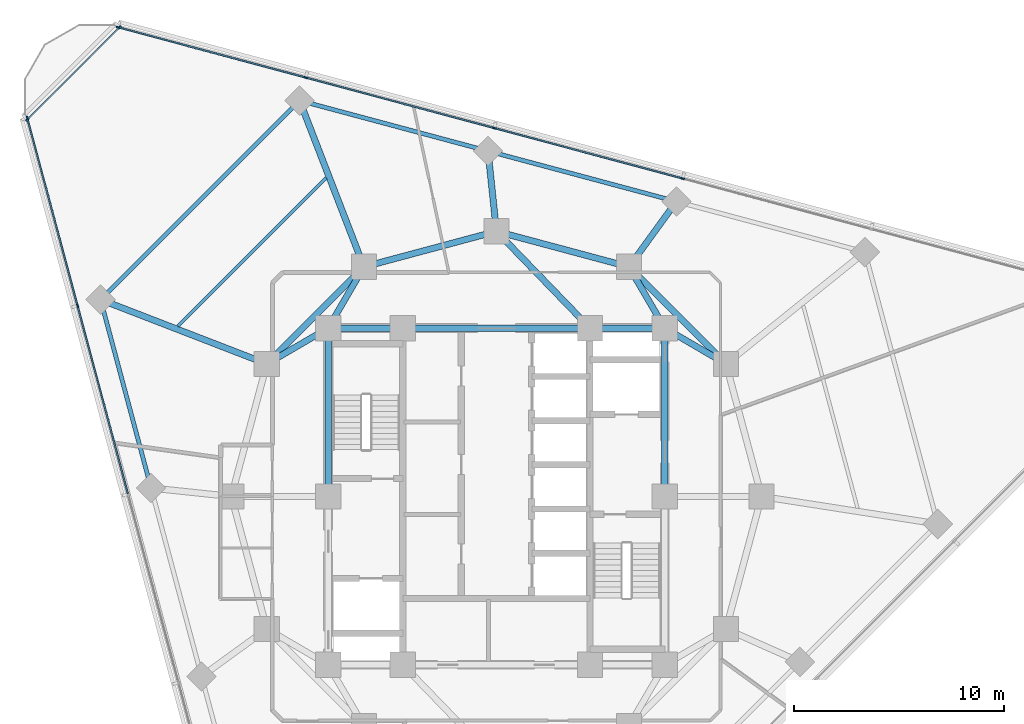
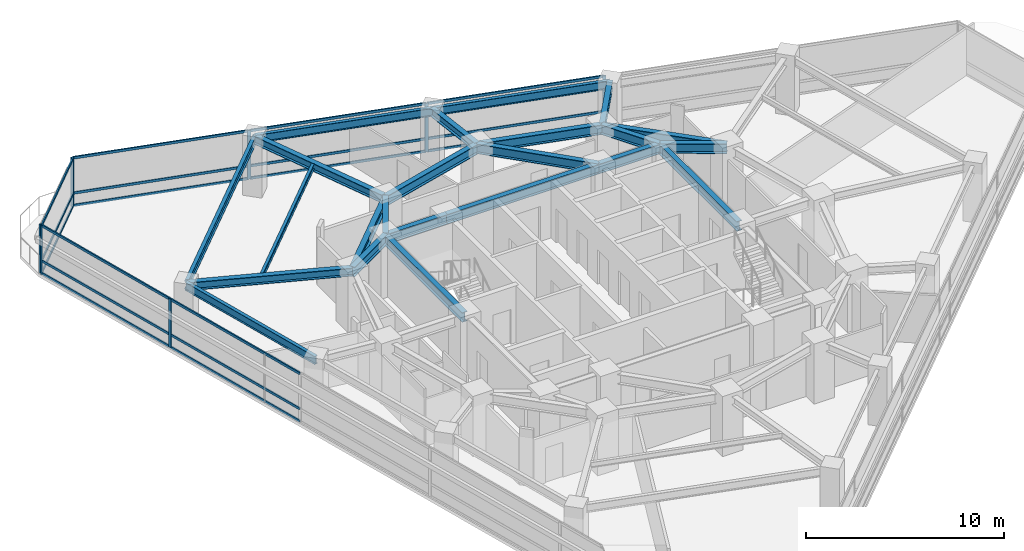
# One storey, part 4 of 13: 26 members, 23 beams, 3 elements without a shape of their own.
"""IFC4 building model written with IfcOpenShell, lengths in metres."""

from ifc_helpers import new_model, si_unit, direction, frame, origin, origin_2d, place, context, subcontext, project, spatial, rectangle, i_section, extrude, material, layer, layer_set, material_profile, profile_set, type_object, element, aggregate, save


model = new_model("IFC4")

# Units and contexts
model_context = context("Model", 3, precision=1e-05, world=origin(), true_north=direction((0.0, 1.0)))
body_context = subcontext(model_context, "Body", "Model", "MODEL_VIEW")
ifc_project = project(units=[si_unit("LENGTHUNIT", "METRE"), si_unit("AREAUNIT", "SQUARE_METRE"), si_unit("VOLUMEUNIT", "CUBIC_METRE"), si_unit("PLANEANGLEUNIT", "RADIAN"), si_unit("MASSUNIT", "GRAM", prefix="KILO")], contexts=[model_context])

# Site, building, storey
site_placement = place(None, origin())
site = spatial("IfcSite", under=ifc_project, at=site_placement, CompositionType="ELEMENT")
building_placement = place(site_placement, origin())
building = spatial("IfcBuilding", under=site, at=building_placement, Name="Terralouvre Media Tower", CompositionType="ELEMENT")
storey_placement = place(building_placement, frame((0.0, 0.0, 195.300048828125)))
storey = spatial("IfcBuildingStorey", under=building, at=storey_placement, Name="L50", CompositionType="ELEMENT", Elevation=195.300048828125)

# Beam
ifc_material_1 = material(Name="Structural steel S355J2", Category="steel")
ifc_material_profile_1 = material_profile(ifc_material_1, i_section(OverallWidth=0.159912109375, OverallDepth=0.330078125, WebThickness=0.007568359375, FlangeThickness=0.011474609375, at=origin_2d()), Name="IPE 330")
ifc_profile_set_1 = profile_set([ifc_material_profile_1], Name="Structural steel S355J2")
beam_type_1 = type_object("IfcBeamType", Name="Composite Floor Joist J-IPE330 (IPE 330)", PredefinedType="JOIST", material=ifc_profile_set_1)
beam_1_placement = place(storey_placement, frame((-8.095947265625, 15.14453125, 3.3349609375), z_axis=(-0.707106781187, -0.707106781187, 0.0), x_axis=(0.707106781187, -0.707106781187, 0.0)))
element("IfcBeam", 1, at=beam_1_placement, inside=storey, type_object=beam_type_1, Name="L50 Framing Beam JT-L50-05", PredefinedType="JOIST", context=body_context, shape_type="SweptSolid", body=[
    extrude(i_section(OverallWidth=0.159912109375, OverallDepth=0.330078125, WebThickness=0.007568359375, FlangeThickness=0.011474609375, at=origin_2d()), origin(), (0.0, 0.0, 1.0), 9.96826171875),
])

# Curtain wall, members
ifc_material_2 = material(Name="Low-iron laminated double glazing with solar-control coating", Category="glass")
ifc_layer_1 = layer(ifc_material_2, 0.1650390625, Name="Production Studio Tower Curtain Wall CW-03")
ifc_layer_set_1 = layer_set([ifc_layer_1], Name="Low-iron laminated double glazing with solar-control coating")
curtain_wall_type_1 = type_object("IfcCurtainWallType", Name="Production Studio Tower Curtain Wall CW-03", PredefinedType="NOTDEFINED", material=ifc_layer_set_1)
curtain_wall_1_placement = place(storey_placement, origin())
curtain_wall_1 = element("IfcCurtainWall", 2, at=curtain_wall_1_placement, inside=storey, type_object=curtain_wall_type_1, Name="L50 Facade Curtain Wall F1", PredefinedType="NOTDEFINED")
ifc_material_3 = material(Name="Anodised extruded aluminium 6063-T6", Category="aluminium")
ifc_material_profile_2 = material_profile(ifc_material_3, rectangle(XDim=0.074951171875, YDim=0.14990234375, at=origin_2d()), Name="ALU 75x150")
ifc_profile_set_2 = profile_set([ifc_material_profile_2], Name="Anodised extruded aluminium 6063-T6")
member_type_1 = type_object("IfcMemberType", Name="Curtain-Wall Horizontal Transom TR-150", PredefinedType="USERDEFINED", material=ifc_profile_set_2)
member_1_placement = place(storey_placement, frame((8.8115234375, 15.117431640625, 0.037353515625), z_axis=(-0.965926723605, 0.25881569625, 0.0), x_axis=(-0.25881569625, -0.965926723605, 0.0)))
member_1 = element("IfcMember", 3, at=member_1_placement, type_object=member_type_1, Name="CW-03 transom 3.1", ObjectType="TRANSOM", PredefinedType="USERDEFINED", context=body_context, shape_type="SweptSolid", body=[
    extrude(rectangle(XDim=0.074951171875, YDim=0.14990234375, at=origin_2d()), origin(), (0.0, 0.0, 1.0), 9.197265625),
])
member_2_placement = place(storey_placement, frame((8.8115234375, 15.117431640625, 0.800048828125), z_axis=(-0.965926723605, 0.25881569625, 0.0), x_axis=(-0.25881569625, -0.965926723605, 0.0)))
member_2 = element("IfcMember", 4, at=member_2_placement, type_object=member_type_1, Name="CW-03 transom 3.2", ObjectType="TRANSOM", PredefinedType="USERDEFINED", context=body_context, shape_type="SweptSolid", body=[
    extrude(rectangle(XDim=0.074951171875, YDim=0.14990234375, at=origin_2d()), origin(), (0.0, 0.0, 1.0), 9.197265625),
])
member_3_placement = place(storey_placement, frame((8.8115234375, 15.117431640625, 2.96240234375), z_axis=(-0.965926723605, 0.25881569625, 0.0), x_axis=(-0.25881569625, -0.965926723605, 0.0)))
member_3 = element("IfcMember", 5, at=member_3_placement, type_object=member_type_1, Name="CW-03 transom 3.3", ObjectType="TRANSOM", PredefinedType="USERDEFINED", context=body_context, shape_type="SweptSolid", body=[
    extrude(rectangle(XDim=0.074951171875, YDim=0.14990234375, at=origin_2d()), origin(), (0.0, 0.0, 1.0), 9.197265625),
])
member_4_placement = place(storey_placement, frame((-0.14453125, 17.517333984375, 0.037353515625), z_axis=(-0.965926723605, 0.25881569625, 0.0), x_axis=(-0.25881569625, -0.965926723605, 0.0)))
member_4 = element("IfcMember", 6, at=member_4_placement, type_object=member_type_1, Name="CW-03 transom 4.1", ObjectType="TRANSOM", PredefinedType="USERDEFINED", context=body_context, shape_type="SweptSolid", body=[
    extrude(rectangle(XDim=0.074951171875, YDim=0.14990234375, at=origin_2d()), origin(), (0.0, 0.0, 1.0), 9.197265625),
])
member_5_placement = place(storey_placement, frame((-0.14453125, 17.517333984375, 0.800048828125), z_axis=(-0.965926723605, 0.25881569625, 0.0), x_axis=(-0.25881569625, -0.965926723605, 0.0)))
member_5 = element("IfcMember", 7, at=member_5_placement, type_object=member_type_1, Name="CW-03 transom 4.2", ObjectType="TRANSOM", PredefinedType="USERDEFINED", context=body_context, shape_type="SweptSolid", body=[
    extrude(rectangle(XDim=0.074951171875, YDim=0.14990234375, at=origin_2d()), origin(), (0.0, 0.0, 1.0), 9.197265625),
])
member_6_placement = place(storey_placement, frame((-0.14453125, 17.517333984375, 2.96240234375), z_axis=(-0.965926723605, 0.25881569625, 0.0), x_axis=(-0.25881569625, -0.965926723605, 0.0)))
member_6 = element("IfcMember", 8, at=member_6_placement, type_object=member_type_1, Name="CW-03 transom 4.3", ObjectType="TRANSOM", PredefinedType="USERDEFINED", context=body_context, shape_type="SweptSolid", body=[
    extrude(rectangle(XDim=0.074951171875, YDim=0.14990234375, at=origin_2d()), origin(), (0.0, 0.0, 1.0), 9.197265625),
])
member_7_placement = place(storey_placement, frame((-9.1005859375, 19.9169921875, 0.037353515625), z_axis=(-0.965927230856, 0.25881380313, 0.0), x_axis=(-0.25881380313, -0.965927230856, 0.0)))
member_7 = element("IfcMember", 9, at=member_7_placement, type_object=member_type_1, Name="CW-03 transom 5.1", ObjectType="TRANSOM", PredefinedType="USERDEFINED", context=body_context, shape_type="SweptSolid", body=[
    extrude(rectangle(XDim=0.074951171875, YDim=0.14990234375, at=origin_2d()), origin(), (0.0, 0.0, 1.0), 9.159423828125),
])
member_8_placement = place(storey_placement, frame((-9.1005859375, 19.9169921875, 0.800048828125), z_axis=(-0.965927230856, 0.25881380313, 0.0), x_axis=(-0.25881380313, -0.965927230856, 0.0)))
member_8 = element("IfcMember", 10, at=member_8_placement, type_object=member_type_1, Name="CW-03 transom 5.2", ObjectType="TRANSOM", PredefinedType="USERDEFINED", context=body_context, shape_type="SweptSolid", body=[
    extrude(rectangle(XDim=0.074951171875, YDim=0.14990234375, at=origin_2d()), origin(), (0.0, 0.0, 1.0), 9.159423828125),
])
member_9_placement = place(storey_placement, frame((-9.1005859375, 19.9169921875, 2.96240234375), z_axis=(-0.965927230856, 0.25881380313, 0.0), x_axis=(-0.25881380313, -0.965927230856, 0.0)))
member_9 = element("IfcMember", 11, at=member_9_placement, type_object=member_type_1, Name="CW-03 transom 5.3", ObjectType="TRANSOM", PredefinedType="USERDEFINED", context=body_context, shape_type="SweptSolid", body=[
    extrude(rectangle(XDim=0.074951171875, YDim=0.14990234375, at=origin_2d()), origin(), (0.0, 0.0, 1.0), 9.159423828125),
])

curtain_wall_2_placement = place(storey_placement, origin())
curtain_wall_2 = element("IfcCurtainWall", 12, at=curtain_wall_2_placement, inside=storey, type_object=curtain_wall_type_1, Name="L50 Facade Curtain Wall F2", PredefinedType="NOTDEFINED")
member_10_placement = place(storey_placement, frame((-22.28759765625, 17.947998046875, 0.037353515625), z_axis=(0.25881380313, -0.965927230856, 0.0), x_axis=(0.965927230856, 0.25881380313, 0.0)))
member_10 = element("IfcMember", 13, at=member_10_placement, type_object=member_type_1, Name="CW-03 transom 1.1", ObjectType="TRANSOM", PredefinedType="USERDEFINED", context=body_context, shape_type="SweptSolid", body=[
    extrude(rectangle(XDim=0.074951171875, YDim=0.14990234375, at=origin_2d()), origin(), (0.0, 0.0, 1.0), 9.159423828125),
])
member_11_placement = place(storey_placement, frame((-22.28759765625, 17.947998046875, 0.800048828125), z_axis=(0.25881380313, -0.965927230856, 0.0), x_axis=(0.965927230856, 0.25881380313, 0.0)))
member_11 = element("IfcMember", 14, at=member_11_placement, type_object=member_type_1, Name="CW-03 transom 1.2", ObjectType="TRANSOM", PredefinedType="USERDEFINED", context=body_context, shape_type="SweptSolid", body=[
    extrude(rectangle(XDim=0.074951171875, YDim=0.14990234375, at=origin_2d()), origin(), (0.0, 0.0, 1.0), 9.159423828125),
])
member_12_placement = place(storey_placement, frame((-22.28759765625, 17.947998046875, 2.96240234375), z_axis=(0.25881380313, -0.965927230856, 0.0), x_axis=(0.965927230856, 0.25881380313, 0.0)))
member_12 = element("IfcMember", 15, at=member_12_placement, type_object=member_type_1, Name="CW-03 transom 1.3", ObjectType="TRANSOM", PredefinedType="USERDEFINED", context=body_context, shape_type="SweptSolid", body=[
    extrude(rectangle(XDim=0.074951171875, YDim=0.14990234375, at=origin_2d()), origin(), (0.0, 0.0, 1.0), 9.159423828125),
])
member_13_placement = place(storey_placement, frame((-19.897705078125, 9.0283203125, 0.037353515625), z_axis=(0.25881569625, -0.965926723605, 0.0), x_axis=(0.965926723605, 0.25881569625, 0.0)))
member_13 = element("IfcMember", 16, at=member_13_placement, type_object=member_type_1, Name="CW-03 transom 2.1", ObjectType="TRANSOM", PredefinedType="USERDEFINED", context=body_context, shape_type="SweptSolid", body=[
    extrude(rectangle(XDim=0.074951171875, YDim=0.14990234375, at=origin_2d()), origin(), (0.0, 0.0, 1.0), 9.197265625),
])
member_14_placement = place(storey_placement, frame((-19.897705078125, 9.0283203125, 0.800048828125), z_axis=(0.25881569625, -0.965926723605, 0.0), x_axis=(0.965926723605, 0.25881569625, 0.0)))
member_14 = element("IfcMember", 17, at=member_14_placement, type_object=member_type_1, Name="CW-03 transom 2.2", ObjectType="TRANSOM", PredefinedType="USERDEFINED", context=body_context, shape_type="SweptSolid", body=[
    extrude(rectangle(XDim=0.074951171875, YDim=0.14990234375, at=origin_2d()), origin(), (0.0, 0.0, 1.0), 9.197265625),
])
member_15_placement = place(storey_placement, frame((-19.897705078125, 9.0283203125, 2.96240234375), z_axis=(0.25881569625, -0.965926723605, 0.0), x_axis=(0.965926723605, 0.25881569625, 0.0)))
member_15 = element("IfcMember", 18, at=member_15_placement, type_object=member_type_1, Name="CW-03 transom 2.3", ObjectType="TRANSOM", PredefinedType="USERDEFINED", context=body_context, shape_type="SweptSolid", body=[
    extrude(rectangle(XDim=0.074951171875, YDim=0.14990234375, at=origin_2d()), origin(), (0.0, 0.0, 1.0), 9.197265625),
])

ifc_material_4 = material(Name="Low-iron laminated double glazing with solar-control coating", Category="glass")
ifc_layer_2 = layer(ifc_material_4, 0.1650390625, Name="Rounded Wind-Corner Curved Glazing CW-04")
ifc_layer_set_2 = layer_set([ifc_layer_2], Name="Low-iron laminated double glazing with solar-control coating")
curtain_wall_type_2 = type_object("IfcCurtainWallType", Name="Rounded Wind-Corner Curved Glazing CW-04", PredefinedType="NOTDEFINED", material=ifc_layer_set_2)
curtain_wall_3_placement = place(storey_placement, origin())
curtain_wall_3 = element("IfcCurtainWall", 19, at=curtain_wall_3_placement, inside=storey, type_object=curtain_wall_type_2, Name="L50 Rounded Wind-Corner Curtain Wall C2", PredefinedType="NOTDEFINED")
member_16_placement = place(storey_placement, frame((-17.943603515625, 22.27099609375, 0.037353515625), z_axis=(-0.707106781187, -0.707106781187, 0.0), x_axis=(0.707106781187, -0.707106781187, 0.0)))
member_16 = element("IfcMember", 20, at=member_16_placement, type_object=member_type_1, Name="CW-04 transom 1.1", ObjectType="TRANSOM", PredefinedType="USERDEFINED", context=body_context, shape_type="SweptSolid", body=[
    extrude(rectangle(XDim=0.074951171875, YDim=0.14990234375, at=origin_2d()), origin(), (0.0, 0.0, 1.0), 6.119873046875),
])
member_17_placement = place(storey_placement, frame((-17.943603515625, 22.27099609375, 0.800048828125), z_axis=(-0.707106781187, -0.707106781187, 0.0), x_axis=(0.707106781187, -0.707106781187, 0.0)))
member_17 = element("IfcMember", 21, at=member_17_placement, type_object=member_type_1, Name="CW-04 transom 1.2", ObjectType="TRANSOM", PredefinedType="USERDEFINED", context=body_context, shape_type="SweptSolid", body=[
    extrude(rectangle(XDim=0.074951171875, YDim=0.14990234375, at=origin_2d()), origin(), (0.0, 0.0, 1.0), 6.119873046875),
])
member_18_placement = place(storey_placement, frame((-17.943603515625, 22.27099609375, 2.96240234375), z_axis=(-0.707106781187, -0.707106781187, 0.0), x_axis=(0.707106781187, -0.707106781187, 0.0)))
member_18 = element("IfcMember", 22, at=member_18_placement, type_object=member_type_1, Name="CW-04 transom 1.3", ObjectType="TRANSOM", PredefinedType="USERDEFINED", context=body_context, shape_type="SweptSolid", body=[
    extrude(rectangle(XDim=0.074951171875, YDim=0.14990234375, at=origin_2d()), origin(), (0.0, 0.0, 1.0), 6.119873046875),
])

# Member
ifc_material_5 = material(Name="Anodised extruded aluminium 6063-T6", Category="aluminium")
ifc_material_profile_3 = material_profile(ifc_material_5, rectangle(XDim=0.074951171875, YDim=0.179931640625, at=origin_2d()), Name="ALU 75x180")
ifc_profile_set_3 = profile_set([ifc_material_profile_3], Name="Anodised extruded aluminium 6063-T6")
member_type_2 = type_object("IfcMemberType", Name="Curtain-Wall Vertical Mullion ML-180", PredefinedType="MULLION", material=ifc_profile_set_3)
member_19_placement = place(storey_placement, frame((8.84765625, 15.10791015625, 0.0), z_axis=(0.0, 0.0, 1.0), x_axis=(-0.25881903342, -0.96592582942, 0.0)))
member_19 = element("IfcMember", 23, at=member_19_placement, type_object=member_type_2, Name="CW-03 mullion 3", PredefinedType="MULLION", context=body_context, shape_type="SweptSolid", body=[
    extrude(rectangle(XDim=0.074951171875, YDim=0.179931640625, at=origin_2d()), origin(), (0.0, 0.0, 1.0), 3.0),
])

member_20_placement = place(storey_placement, frame((-0.1083984375, 17.507568359375, 0.0), z_axis=(0.0, 0.0, 1.0), x_axis=(-0.25881903342, -0.96592582942, 0.0)))
member_20 = element("IfcMember", 24, at=member_20_placement, type_object=member_type_2, Name="CW-03 mullion 4", PredefinedType="MULLION", context=body_context, shape_type="SweptSolid", body=[
    extrude(rectangle(XDim=0.074951171875, YDim=0.179931640625, at=origin_2d()), origin(), (0.0, 0.0, 1.0), 3.0),
])

member_21_placement = place(storey_placement, frame((-9.064453125, 19.907470703125, 0.0), z_axis=(0.0, 0.0, 1.0), x_axis=(-0.25881903342, -0.96592582942, 0.0)))
member_21 = element("IfcMember", 25, at=member_21_placement, type_object=member_type_2, Name="CW-03 mullion 5", PredefinedType="MULLION", context=body_context, shape_type="SweptSolid", body=[
    extrude(rectangle(XDim=0.074951171875, YDim=0.179931640625, at=origin_2d()), origin(), (0.0, 0.0, 1.0), 3.0),
])

member_22_placement = place(storey_placement, frame((-17.984375, 22.29736328125, 0.0), z_axis=(0.0, 0.0, 1.0), x_axis=(-0.25881903342, -0.96592582942, 0.0)))
member_22 = element("IfcMember", 26, at=member_22_placement, type_object=member_type_2, Name="CW-03 mullion 6", PredefinedType="MULLION", context=body_context, shape_type="SweptSolid", body=[
    extrude(rectangle(XDim=0.074951171875, YDim=0.179931640625, at=origin_2d()), origin(), (0.0, 0.0, 1.0), 3.0),
])

aggregate(curtain_wall_1, [member_19, member_20, member_21, member_22, member_1, member_2, member_3, member_4, member_5, member_6, member_7, member_8, member_9])

member_23_placement = place(storey_placement, frame((-22.29736328125, 17.984375, 0.0), z_axis=(0.0, 0.0, 1.0), x_axis=(0.96592582942, 0.25881903342, 0.0)))
member_23 = element("IfcMember", 27, at=member_23_placement, type_object=member_type_2, Name="CW-03 mullion 1", PredefinedType="MULLION", context=body_context, shape_type="SweptSolid", body=[
    extrude(rectangle(XDim=0.074951171875, YDim=0.179931640625, at=origin_2d()), origin(), (0.0, 0.0, 1.0), 3.0),
])

member_24_placement = place(storey_placement, frame((-19.907470703125, 9.064453125, 0.0), z_axis=(0.0, 0.0, 1.0), x_axis=(0.96592582942, 0.25881903342, 0.0)))
member_24 = element("IfcMember", 28, at=member_24_placement, type_object=member_type_2, Name="CW-03 mullion 2", PredefinedType="MULLION", context=body_context, shape_type="SweptSolid", body=[
    extrude(rectangle(XDim=0.074951171875, YDim=0.179931640625, at=origin_2d()), origin(), (0.0, 0.0, 1.0), 3.0),
])

aggregate(curtain_wall_2, [member_23, member_24, member_10, member_11, member_12, member_13, member_14, member_15])

member_25_placement = place(storey_placement, frame((-17.9169921875, 22.297607421875, 0.0), z_axis=(0.0, 0.0, 1.0), x_axis=(0.707106781187, -0.707106781187, 0.0)))
member_25 = element("IfcMember", 29, at=member_25_placement, type_object=member_type_2, Name="CW-04 mullion 1", PredefinedType="MULLION", context=body_context, shape_type="SweptSolid", body=[
    extrude(rectangle(XDim=0.074951171875, YDim=0.179931640625, at=origin_2d()), origin(), (0.0, 0.0, 1.0), 3.0),
])

member_26_placement = place(storey_placement, frame((-22.297607421875, 17.9169921875, 0.0), z_axis=(0.0, 0.0, 1.0), x_axis=(0.707106781187, -0.707106781187, 0.0)))
member_26 = element("IfcMember", 30, at=member_26_placement, type_object=member_type_2, Name="CW-04 mullion 2", PredefinedType="MULLION", context=body_context, shape_type="SweptSolid", body=[
    extrude(rectangle(XDim=0.074951171875, YDim=0.179931640625, at=origin_2d()), origin(), (0.0, 0.0, 1.0), 3.0),
])

aggregate(curtain_wall_3, [member_25, member_26, member_16, member_17, member_18])

# Beams
ifc_material_6 = material(Name="Structural steel S355J2", Category="steel")
ifc_material_profile_4 = material_profile(ifc_material_6, i_section(OverallWidth=0.199951171875, OverallDepth=0.5, WebThickness=0.01025390625, FlangeThickness=0.01611328125, at=origin_2d()), Name="IPE 500")
ifc_profile_set_4 = profile_set([ifc_material_profile_4], Name="Structural steel S355J2")
beam_type_2 = type_object("IfcBeamType", Name="Perimeter Spandrel Beam SPB-500 (IPE 500)", PredefinedType="SPANDREL", material=ifc_profile_set_4)
for number, where, z_axis, x_axis, name in (
    (31, (8.55517578125, 14.016357421875, 3.25), (-0.965928776458, 0.258808034669, 0.0), (-0.258808034669, -0.965928776458, 0.0), "L50 Framing Beam BM-L50-PR08"),
    (32, (-0.40087890625, 16.416015625, 3.25), (-0.965922193685, 0.258832601786, 0.0), (-0.258832601786, -0.965922193685, 0.0), "L50 Framing Beam BM-L50-PR09"),
):
    element("IfcBeam", number, at=place(storey_placement, frame(where, z_axis=z_axis, x_axis=x_axis)), inside=storey, type_object=beam_type_2, Name=name, PredefinedType="SPANDREL", context=body_context, shape_type="SweptSolid", body=[
        extrude(i_section(OverallWidth=0.199951171875, OverallDepth=0.5, WebThickness=0.01025390625, FlangeThickness=0.01611328125, at=origin_2d()), origin(), (0.0, 0.0, 1.0), 9.27197265625),
    ])
beam_2_placement = place(storey_placement, frame((-9.35693359375, 18.81591796875, 3.25), z_axis=(-0.707106781187, -0.707106781187, 0.0), x_axis=(0.707106781187, -0.707106781187, 0.0)))
element("IfcBeam", 33, at=beam_2_placement, inside=storey, type_object=beam_type_2, Name="L50 Framing Beam BM-L50-PR10", PredefinedType="SPANDREL", context=body_context, shape_type="SweptSolid", body=[
    extrude(i_section(OverallWidth=0.199951171875, OverallDepth=0.5, WebThickness=0.01025390625, FlangeThickness=0.01611328125, at=origin_2d()), origin(), (0.0, 0.0, 1.0), 13.376953125),
])
beam_3_placement = place(storey_placement, frame((-18.81591796875, 9.35693359375, 3.25), z_axis=(0.258832601786, -0.965922193685, 0.0), x_axis=(0.965922193685, 0.258832601786, 0.0)))
element("IfcBeam", 34, at=beam_3_placement, inside=storey, type_object=beam_type_2, Name="L50 Framing Beam BM-L50-PR11", PredefinedType="SPANDREL", context=body_context, shape_type="SweptSolid", body=[
    extrude(i_section(OverallWidth=0.199951171875, OverallDepth=0.5, WebThickness=0.01025390625, FlangeThickness=0.01611328125, at=origin_2d()), origin(), (0.0, 0.0, 1.0), 9.27197265625),
])
ifc_material_7 = material(Name="Structural steel S355J2", Category="steel")
ifc_material_profile_5 = material_profile(ifc_material_7, i_section(OverallWidth=0.300048828125, OverallDepth=0.5, WebThickness=0.014404296875, FlangeThickness=0.028076171875, at=origin_2d()), Name="HEB 500")
ifc_profile_set_5 = profile_set([ifc_material_profile_5], Name="Structural steel S355J2")
beam_type_3 = type_object("IfcBeamType", Name="Primary Floor Girder B-HEB500 (HEB 500)", PredefinedType="BEAM", material=ifc_profile_set_5)
beam_4_placement = place(storey_placement, frame((6.300048828125, 10.911865234375, 3.25), z_axis=(0.587713839807, 0.809068873767, 0.0), x_axis=(-0.809068873767, 0.587713839807, 0.0)))
element("IfcBeam", 35, at=beam_4_placement, inside=storey, type_object=beam_type_3, Name="L50 Framing Beam BM-L50-RD08", PredefinedType="BEAM", context=body_context, shape_type="SweptSolid", body=[
    extrude(i_section(OverallWidth=0.300048828125, OverallDepth=0.5, WebThickness=0.014404296875, FlangeThickness=0.028076171875, at=origin_2d()), origin(), (0.0, 0.0, 1.0), 3.837158203125),
])
beam_5_placement = place(storey_placement, frame((0.0, 12.60009765625, 3.25), z_axis=(-0.104479425033, 0.994527048272, 0.0), x_axis=(-0.994527048272, -0.104479425033, 0.0)))
element("IfcBeam", 36, at=beam_5_placement, inside=storey, type_object=beam_type_3, Name="L50 Framing Beam BM-L50-RD09", PredefinedType="BEAM", context=body_context, shape_type="SweptSolid", body=[
    extrude(i_section(OverallWidth=0.300048828125, OverallDepth=0.5, WebThickness=0.014404296875, FlangeThickness=0.028076171875, at=origin_2d()), origin(), (0.0, 0.0, 1.0), 3.8369140625),
])
for number, where, z_axis, x_axis, name in (
    (37, (-6.300048828125, 10.911865234375, 3.25), (-0.360712022835, 0.932677241377, 0.0), (-0.932677241377, -0.360712022835, 0.0), "L50 Framing Beam BM-L50-RD10"),
    (38, (-10.911865234375, 6.300048828125, 3.25), (-0.932677241377, 0.360712022835, 0.0), (-0.360712022835, -0.932677241377, 0.0), "L50 Framing Beam BM-L50-RD11"),
):
    element("IfcBeam", number, at=place(storey_placement, frame(where, z_axis=z_axis, x_axis=x_axis)), inside=storey, type_object=beam_type_3, Name=name, PredefinedType="BEAM", context=body_context, shape_type="SweptSolid", body=[
        extrude(i_section(OverallWidth=0.300048828125, OverallDepth=0.5, WebThickness=0.014404296875, FlangeThickness=0.028076171875, at=origin_2d()), origin(), (0.0, 0.0, 1.0), 8.474609375),
    ])
ifc_material_8 = material(Name="Structural steel S460M", Category="steel")
ifc_material_profile_6 = material_profile(ifc_material_8, i_section(OverallWidth=0.300048828125, OverallDepth=0.60009765625, WebThickness=0.015380859375, FlangeThickness=0.030029296875, at=origin_2d()), Name="HEB 600")
ifc_profile_set_6 = profile_set([ifc_material_profile_6], Name="Structural steel S460M")
beam_type_4 = type_object("IfcBeamType", Name="Primary Floor Girder B-HEB600 (HEB 600)", PredefinedType="BEAM", material=ifc_profile_set_6)
beam_6_placement = place(storey_placement, frame((8.0, 0.0, 3.199951171875), z_axis=(0.0, 1.0, 0.0), x_axis=(-1.0, 0.0, 0.0)))
element("IfcBeam", 39, at=beam_6_placement, inside=storey, type_object=beam_type_4, Name="L50 Framing Beam BM-L50-CPR05", PredefinedType="BEAM", context=body_context, shape_type="SweptSolid", body=[
    extrude(i_section(OverallWidth=0.300048828125, OverallDepth=0.60009765625, WebThickness=0.015380859375, FlangeThickness=0.030029296875, at=origin_2d()), origin(), (0.0, 0.0, 1.0), 8.0),
])
beam_7_placement = place(storey_placement, frame((8.0, 8.0, 3.199951171875), z_axis=(-1.0, 0.0, 0.0), x_axis=(0.0, -1.0, 0.0)))
element("IfcBeam", 40, at=beam_7_placement, inside=storey, type_object=beam_type_4, Name="L50 Framing Beam BM-L50-CPR06", PredefinedType="BEAM", context=body_context, shape_type="SweptSolid", body=[
    extrude(i_section(OverallWidth=0.300048828125, OverallDepth=0.60009765625, WebThickness=0.015380859375, FlangeThickness=0.030029296875, at=origin_2d()), origin(), (0.0, 0.0, 1.0), 3.550048828125),
])
beam_8_placement = place(storey_placement, frame((4.449951171875, 8.0, 3.199951171875), z_axis=(-1.0, 0.0, 0.0), x_axis=(0.0, -1.0, 0.0)))
element("IfcBeam", 41, at=beam_8_placement, inside=storey, type_object=beam_type_4, Name="L50 Framing Beam BM-L50-CPR07", PredefinedType="BEAM", context=body_context, shape_type="SweptSolid", body=[
    extrude(i_section(OverallWidth=0.300048828125, OverallDepth=0.60009765625, WebThickness=0.015380859375, FlangeThickness=0.030029296875, at=origin_2d()), origin(), (0.0, 0.0, 1.0), 8.89990234375),
])
beam_9_placement = place(storey_placement, frame((-4.449951171875, 8.0, 3.199951171875), z_axis=(-1.0, 0.0, 0.0), x_axis=(0.0, -1.0, 0.0)))
element("IfcBeam", 42, at=beam_9_placement, inside=storey, type_object=beam_type_4, Name="L50 Framing Beam BM-L50-CPR08", PredefinedType="BEAM", context=body_context, shape_type="SweptSolid", body=[
    extrude(i_section(OverallWidth=0.300048828125, OverallDepth=0.60009765625, WebThickness=0.015380859375, FlangeThickness=0.030029296875, at=origin_2d()), origin(), (0.0, 0.0, 1.0), 3.550048828125),
])
beam_10_placement = place(storey_placement, frame((-8.0, 8.0, 3.199951171875), z_axis=(0.0, -1.0, 0.0), x_axis=(1.0, 0.0, 0.0)))
element("IfcBeam", 43, at=beam_10_placement, inside=storey, type_object=beam_type_4, Name="L50 Framing Beam BM-L50-CPR09", PredefinedType="BEAM", context=body_context, shape_type="SweptSolid", body=[
    extrude(i_section(OverallWidth=0.300048828125, OverallDepth=0.60009765625, WebThickness=0.015380859375, FlangeThickness=0.030029296875, at=origin_2d()), origin(), (0.0, 0.0, 1.0), 8.0),
])
beam_11_placement = place(storey_placement, frame((10.911865234375, 6.300048828125, 3.199951171875), z_axis=(-0.707106781187, 0.707106781187, 0.0), x_axis=(-0.707106781187, -0.707106781187, 0.0)))
element("IfcBeam", 44, at=beam_11_placement, inside=storey, type_object=beam_type_4, Name="L50 Framing Beam BM-L50-MR07", PredefinedType="BEAM", context=body_context, shape_type="SweptSolid", body=[
    extrude(i_section(OverallWidth=0.300048828125, OverallDepth=0.60009765625, WebThickness=0.015380859375, FlangeThickness=0.030029296875, at=origin_2d()), origin(), (0.0, 0.0, 1.0), 6.52197265625),
])
for number, where, z_axis, x_axis, name in (
    (45, (6.300048828125, 10.911865234375, 3.199951171875), (-0.965920481897, 0.258838989821, 0.0), (-0.258838989821, -0.965920481897, 0.0), "L50 Framing Beam BM-L50-MR08"),
    (46, (0.0, 12.60009765625, 3.199951171875), (-0.965920481897, -0.258838989821, 0.0), (0.258838989821, -0.965920481897, 0.0), "L50 Framing Beam BM-L50-MR09"),
):
    element("IfcBeam", number, at=place(storey_placement, frame(where, z_axis=z_axis, x_axis=x_axis)), inside=storey, type_object=beam_type_4, Name=name, PredefinedType="BEAM", context=body_context, shape_type="SweptSolid", body=[
        extrude(i_section(OverallWidth=0.300048828125, OverallDepth=0.60009765625, WebThickness=0.015380859375, FlangeThickness=0.030029296875, at=origin_2d()), origin(), (0.0, 0.0, 1.0), 6.522216796875),
    ])
beam_12_placement = place(storey_placement, frame((-6.300048828125, 10.911865234375, 3.199951171875), z_axis=(-0.707106781187, -0.707106781187, 0.0), x_axis=(0.707106781187, -0.707106781187, 0.0)))
element("IfcBeam", 47, at=beam_12_placement, inside=storey, type_object=beam_type_4, Name="L50 Framing Beam BM-L50-MR10", PredefinedType="BEAM", context=body_context, shape_type="SweptSolid", body=[
    extrude(i_section(OverallWidth=0.300048828125, OverallDepth=0.60009765625, WebThickness=0.015380859375, FlangeThickness=0.030029296875, at=origin_2d()), origin(), (0.0, 0.0, 1.0), 6.52197265625),
])
for number, where, z_axis, x_axis, name in (
    (48, (8.0, 8.0, 3.199951171875), (0.863602894532, -0.504172629717, 0.0), (0.504172629717, 0.863602894532, 0.0), "L50 Framing Beam BM-L50-CM07"),
    (49, (8.0, 8.0, 3.199951171875), (-0.504172629717, 0.863602894532, 0.0), (-0.863602894532, -0.504172629717, 0.0), "L50 Framing Beam BM-L50-CM08"),
):
    element("IfcBeam", number, at=place(storey_placement, frame(where, z_axis=z_axis, x_axis=x_axis)), inside=storey, type_object=beam_type_4, Name=name, PredefinedType="BEAM", context=body_context, shape_type="SweptSolid", body=[
        extrude(i_section(OverallWidth=0.300048828125, OverallDepth=0.60009765625, WebThickness=0.015380859375, FlangeThickness=0.030029296875, at=origin_2d()), origin(), (0.0, 0.0, 1.0), 3.371826171875),
    ])
beam_13_placement = place(storey_placement, frame((4.449951171875, 8.0, 3.199951171875), z_axis=(-0.695279715726, 0.718739255155, 0.0), x_axis=(-0.718739255155, -0.695279715726, 0.0)))
element("IfcBeam", 50, at=beam_13_placement, inside=storey, type_object=beam_type_4, Name="L50 Framing Beam BM-L50-CM09", PredefinedType="BEAM", context=body_context, shape_type="SweptSolid", body=[
    extrude(i_section(OverallWidth=0.300048828125, OverallDepth=0.60009765625, WebThickness=0.015380859375, FlangeThickness=0.030029296875, at=origin_2d()), origin(), (0.0, 0.0, 1.0), 6.400146484375),
])
for number, where, z_axis, x_axis, name in (
    (51, (-8.0, 8.0, 3.199951171875), (0.504172629717, 0.863602894532, 0.0), (-0.863602894532, 0.504172629717, 0.0), "L50 Framing Beam BM-L50-CM10"),
    (52, (-8.0, 8.0, 3.199951171875), (-0.863602894532, -0.504172629717, 0.0), (0.504172629717, -0.863602894532, 0.0), "L50 Framing Beam BM-L50-CM11"),
):
    element("IfcBeam", number, at=place(storey_placement, frame(where, z_axis=z_axis, x_axis=x_axis)), inside=storey, type_object=beam_type_4, Name=name, PredefinedType="BEAM", context=body_context, shape_type="SweptSolid", body=[
        extrude(i_section(OverallWidth=0.300048828125, OverallDepth=0.60009765625, WebThickness=0.015380859375, FlangeThickness=0.030029296875, at=origin_2d()), origin(), (0.0, 0.0, 1.0), 3.371826171875),
    ])

save(model, "model.ifc")
